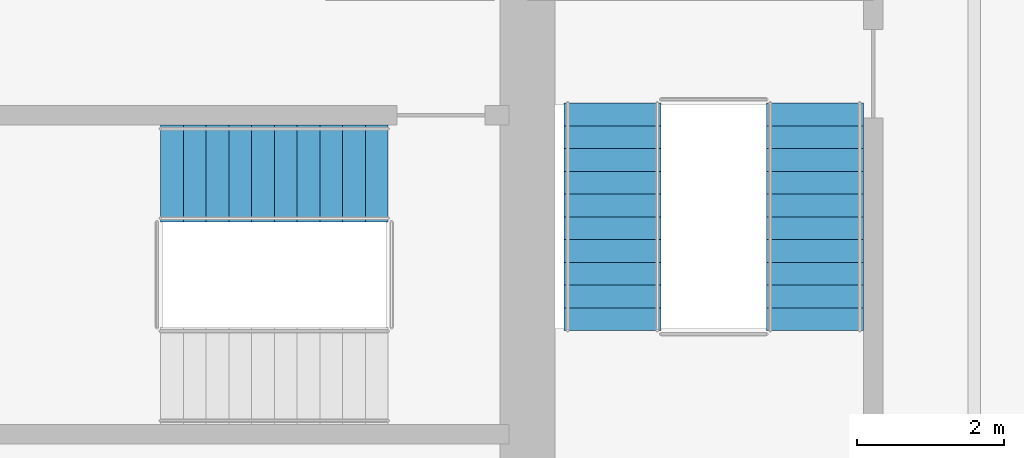
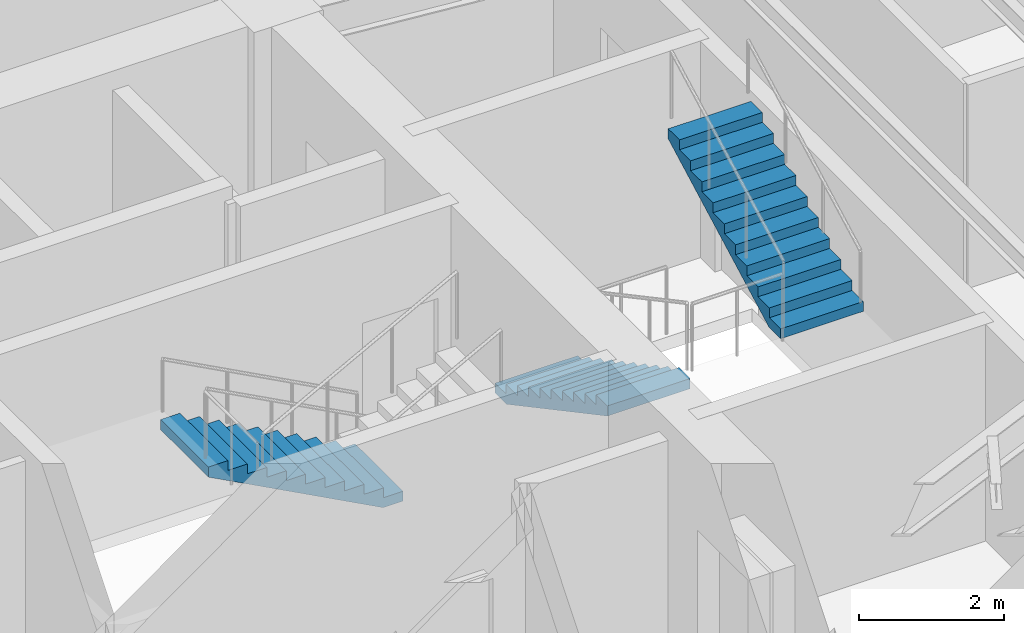
# One storey, part 21 of 23: 3 stair flights, 2 elements without a shape of their own.
"""IFC4 building model written with IfcOpenShell, lengths in metres."""

from ifc_helpers import new_model, si_unit, direction, frame, origin, place, context, subcontext, project, spatial, polyline, outline, extrude, material, type_object, element, aggregate, save


model = new_model("IFC4")

# Units and contexts
model_context = context("Model", 3, precision=1e-05, world=origin(), true_north=direction((0.0, 1.0)))
body_context = subcontext(model_context, "Body", "Model", "MODEL_VIEW")
ifc_project = project(units=[si_unit("LENGTHUNIT", "METRE"), si_unit("AREAUNIT", "SQUARE_METRE"), si_unit("VOLUMEUNIT", "CUBIC_METRE"), si_unit("PLANEANGLEUNIT", "RADIAN"), si_unit("MASSUNIT", "GRAM", prefix="KILO")], contexts=[model_context])

# Site, building, storey
site_placement = place(None, origin())
site = spatial("IfcSite", under=ifc_project, at=site_placement, CompositionType="ELEMENT")
building_placement = place(site_placement, origin())
building = spatial("IfcBuilding", under=site, at=building_placement, Name="Lazwardi Medical Tower", CompositionType="ELEMENT")
storey_placement = place(building_placement, frame((0.0, 0.0, 125.52001953125)))
storey = spatial("IfcBuildingStorey", under=building, at=storey_placement, Name="L32", CompositionType="ELEMENT", Elevation=125.52001953125)

# Stair, stair flight
ifc_material = material(Name="Concrete C45/55", Category="concrete")
stair_type = type_object("IfcStairType", Name="STR-WRD", PredefinedType="HALF_TURN_STAIR", material=ifc_material)
stair_1_placement = place(storey_placement, origin())
stair_1 = element("IfcStair", 1, at=stair_1_placement, inside=storey, type_object=stair_type, Name="L32 Protected Exit Stair ST2", PredefinedType="HALF_TURN_STAIR")
stair_flight_type = type_object("IfcStairFlightType", Name="FLT-WRD", PredefinedType="STRAIGHT", material=ifc_material)
stair_flight_1_placement = place(storey_placement, frame((43.800048828125, 29.43994140625, 0.0), z_axis=(0.0, 0.0, 1.0), x_axis=(-1.0, 0.0, 0.0)))
stair_flight_1 = element("IfcStairFlight", 2, at=stair_flight_1_placement, type_object=stair_flight_type, Name="ST2 flight 1", NumberOfRisers=11, NumberOfTreads=10, PredefinedType="STRAIGHT", RiserHeight=0.165818182, TreadLength=0.31, context=body_context, shape_type="SweptSolid", body=[
    extrude(outline(polyline([(0.0, 0.0), (0.0, 0.165771484375), (0.31005859375, 0.165771484375), (0.31005859375, 0.33154296875), (0.6201171875, 0.33154296875), (0.6201171875, 0.49755859375), (0.929931640625, 0.49755859375), (0.929931640625, 0.663330078125), (1.239990234375, 0.663330078125), (1.239990234375, 0.8291015625), (1.550048828125, 0.8291015625), (1.550048828125, 0.994873046875), (1.860107421875, 0.994873046875), (1.860107421875, 1.16064453125), (2.169921875, 1.16064453125), (2.169921875, 1.32666015625), (2.47998046875, 1.32666015625), (2.47998046875, 1.492431640625), (2.7900390625, 1.492431640625), (2.7900390625, 1.658203125), (3.10009765625, 1.658203125), (3.10009765625, 1.823974609375), (3.10009765625, 1.48828125), (0.31787109375, 0.0), (0.0, 0.0)])), frame((0.0, 0.66015625, 0.0), z_axis=(0.0, -1.0, 0.0), x_axis=(1.0, 0.0, 0.0)), (0.0, 0.0, 1.0), 1.320068359375),
])
aggregate(stair_1, [stair_flight_1])

# Stair, stair flights
stair_2_placement = place(storey_placement, origin())
stair_2 = element("IfcStair", 3, at=stair_2_placement, inside=storey, type_object=stair_type, Name="L32 Protected Exit Stair ST3", PredefinedType="HALF_TURN_STAIR")
stair_flight_2_placement = place(storey_placement, frame((46.860107421875, 30.39990234375, 0.0), z_axis=(0.0, 0.0, 1.0), x_axis=(0.0, -1.0, 0.0)))
stair_flight_2 = element("IfcStairFlight", 4, at=stair_flight_2_placement, type_object=stair_flight_type, Name="ST3 flight 1", NumberOfRisers=11, NumberOfTreads=10, PredefinedType="STRAIGHT", RiserHeight=0.165818182, TreadLength=0.31, context=body_context, shape_type="SweptSolid", body=[
    extrude(outline(polyline([(0.0, 0.0), (0.0, 0.165771484375), (0.31005859375, 0.165771484375), (0.31005859375, 0.33154296875), (0.6201171875, 0.33154296875), (0.6201171875, 0.49755859375), (0.929931640625, 0.49755859375), (0.929931640625, 0.663330078125), (1.239990234375, 0.663330078125), (1.239990234375, 0.8291015625), (1.550048828125, 0.8291015625), (1.550048828125, 0.994873046875), (1.860107421875, 0.994873046875), (1.860107421875, 1.16064453125), (2.169921875, 1.16064453125), (2.169921875, 1.32666015625), (2.47998046875, 1.32666015625), (2.47998046875, 1.492431640625), (2.7900390625, 1.492431640625), (2.7900390625, 1.658203125), (3.10009765625, 1.658203125), (3.10009765625, 1.823974609375), (3.10009765625, 1.48828125), (0.31787109375, 0.0), (0.0, 0.0)])), frame((0.0, 0.66015625, 0.0), z_axis=(0.0, -1.0, 0.0), x_axis=(1.0, 0.0, 0.0)), (0.0, 0.0, 1.0), 1.320068359375),
])
stair_flight_3_placement = place(storey_placement, frame((49.6201171875, 27.300048828125, 1.823974609375), z_axis=(0.0, 0.0, 1.0), x_axis=(0.0, 1.0, 0.0)))
stair_flight_3 = element("IfcStairFlight", 5, at=stair_flight_3_placement, type_object=stair_flight_type, Name="ST3 flight 2", NumberOfRisers=11, NumberOfTreads=10, PredefinedType="STRAIGHT", RiserHeight=0.165818182, TreadLength=0.31, context=body_context, shape_type="SweptSolid", body=[
    extrude(outline(polyline([(0.0, 0.0), (0.0, 0.165771484375), (0.31005859375, 0.165771484375), (0.31005859375, 0.33154296875), (0.6201171875, 0.33154296875), (0.6201171875, 0.49755859375), (0.929931640625, 0.49755859375), (0.929931640625, 0.663330078125), (1.239990234375, 0.663330078125), (1.239990234375, 0.8291015625), (1.550048828125, 0.8291015625), (1.550048828125, 0.994873046875), (1.860107421875, 0.994873046875), (1.860107421875, 1.16064453125), (2.169921875, 1.16064453125), (2.169921875, 1.32666015625), (2.47998046875, 1.32666015625), (2.47998046875, 1.492431640625), (2.7900390625, 1.492431640625), (2.7900390625, 1.658203125), (3.10009765625, 1.658203125), (3.10009765625, 1.823974609375), (3.10009765625, 1.48828125), (0.31787109375, 0.0), (0.0, 0.0)])), frame((0.0, 0.66015625, 0.0), z_axis=(0.0, -1.0, 0.0), x_axis=(1.0, 0.0, 0.0)), (0.0, 0.0, 1.0), 1.320068359375),
])
aggregate(stair_2, [stair_flight_2, stair_flight_3])

save(model, "model.ifc")
